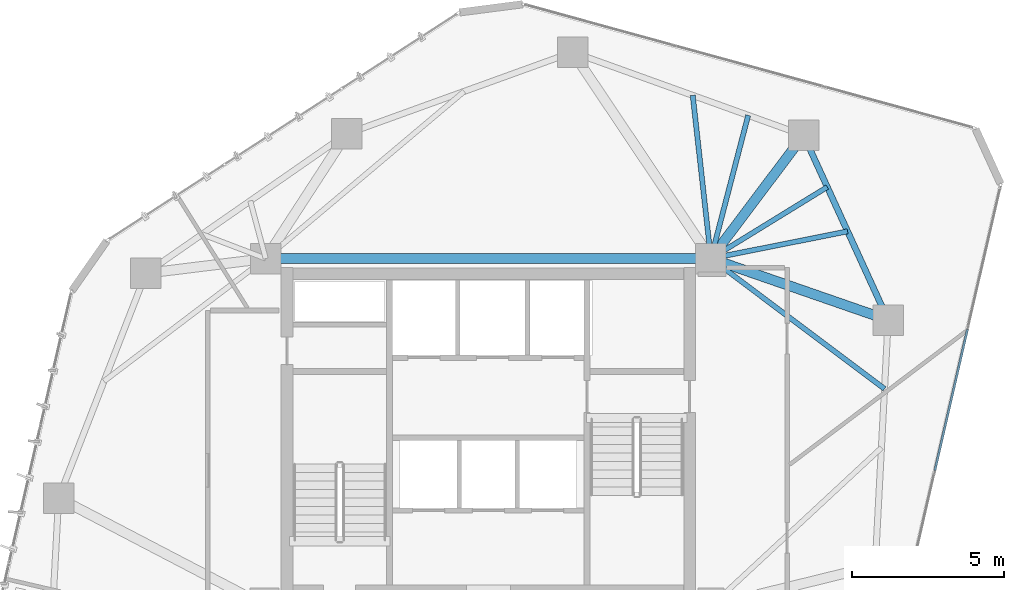
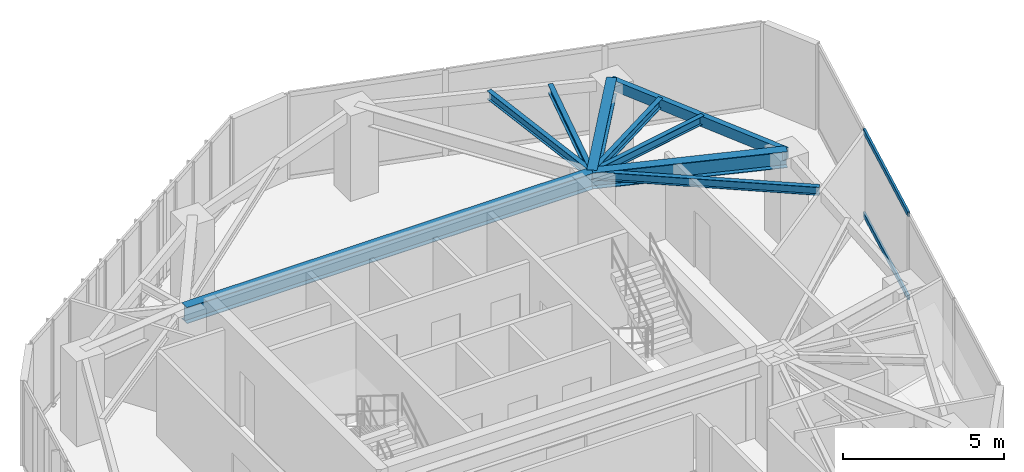
# One storey, part 10 of 18: 9 beams, 2 members, 1 element without a shape of its own.
"""IFC4 building model written with IfcOpenShell, lengths in metres."""

from ifc_helpers import new_model, si_unit, direction, frame, origin, origin_2d, place, context, subcontext, project, spatial, hollow_rectangle, i_section, extrude, source, transform, mapped, material, layer, layer_set, material_profile, profile_set, type_object, type_shapes, element, aggregate, save


model = new_model("IFC4")

# Units and contexts
model_context = context("Model", 3, precision=1e-05, world=origin(), true_north=direction((0.0, 1.0)))
body_context = subcontext(model_context, "Body", "Model", "MODEL_VIEW")
ifc_project = project(units=[si_unit("LENGTHUNIT", "METRE"), si_unit("AREAUNIT", "SQUARE_METRE"), si_unit("VOLUMEUNIT", "CUBIC_METRE"), si_unit("PLANEANGLEUNIT", "RADIAN"), si_unit("MASSUNIT", "GRAM", prefix="KILO")], contexts=[model_context])

# Site, building, storey
site_placement = place(None, origin())
site = spatial("IfcSite", under=ifc_project, at=site_placement, CompositionType="ELEMENT")
building_placement = place(site_placement, origin())
building = spatial("IfcBuilding", under=site, at=building_placement, Name="Talar Marvaseh", CompositionType="ELEMENT")
storey_placement = place(building_placement, frame((0.0, 0.0, 188.0)))
storey = spatial("IfcBuildingStorey", under=building, at=storey_placement, Name="L49", CompositionType="ELEMENT", Elevation=188.0)

# Beams
ifc_material_1 = material(Name="Steel S355", Category="steel")
ifc_material_profile_1 = material_profile(ifc_material_1, hollow_rectangle(XDim=0.199951171875, YDim=0.39990234375, WallThickness=0.013916015625, at=origin_2d()), Name="RHS400x200x14")
ifc_profile_set_1 = profile_set([ifc_material_profile_1], Name="Steel S355")
beam_type_1 = type_object("IfcBeamType", Name="Zone 3 Perimeter Spandrel Beam RHS400x200x14", PredefinedType="SPANDREL", material=ifc_profile_set_1)
beam_1_placement = place(storey_placement, frame((36.341064453125, 40.94189453125, 3.030029296875), z_axis=(0.416090570719, -0.909323175202, 0.0), x_axis=(0.909323175202, 0.416090570719, 0.0)))
element("IfcBeam", 1, at=beam_1_placement, inside=storey, type_object=beam_type_1, Name="L49 Zone 3 Perimeter Spandrel Beam RHS400x200x14", PredefinedType="SPANDREL", context=body_context, shape_type="SweptSolid", body=[
    extrude(hollow_rectangle(XDim=0.199951171875, YDim=0.39990234375, WallThickness=0.013916015625, at=origin_2d()), origin(), (0.0, 0.0, 1.0), 6.661865234375),
])
ifc_material_profile_2 = material_profile(ifc_material_1, i_section(OverallWidth=0.324951171875, OverallDepth=0.615966796875, WebThickness=0.013916015625, FlangeThickness=0.021484375, at=origin_2d()), Name="W610x174")
ifc_profile_set_2 = profile_set([ifc_material_profile_2], Name="Steel S355")
beam_type_2 = type_object("IfcBeamType", Name="Zone 3 Radial Floor Girder W610x174", PredefinedType="BEAM", material=ifc_profile_set_2)
beam_2_placement = place(storey_placement, frame((18.699951171875, 36.89990234375, 2.922119140625), z_axis=(1.0, 0.0, 0.0), x_axis=(0.0, 1.0, 0.0)))
element("IfcBeam", 2, at=beam_2_placement, inside=storey, type_object=beam_type_2, Name="L49 Zone 3 Radial Floor Girder W610x174", PredefinedType="BEAM", context=body_context, shape_type="SweptSolid", body=[
    extrude(i_section(OverallWidth=0.324951171875, OverallDepth=0.615966796875, WebThickness=0.013916015625, FlangeThickness=0.021484375, at=origin_2d()), origin(), (0.0, 0.0, 1.0), 14.60009765625),
])
beam_3_placement = place(storey_placement, frame((36.341064453125, 40.94189453125, 2.922119140625), z_axis=(-0.601204044541, -0.799095549247, 0.0), x_axis=(0.799095549247, -0.601204044541, 0.0)))
element("IfcBeam", 3, at=beam_3_placement, inside=storey, type_object=beam_type_2, Name="L49 Zone 3 Radial Floor Girder W610x174", PredefinedType="BEAM", context=body_context, shape_type="SweptSolid", body=[
    extrude(i_section(OverallWidth=0.324951171875, OverallDepth=0.615966796875, WebThickness=0.013916015625, FlangeThickness=0.021484375, at=origin_2d()), origin(), (0.0, 0.0, 1.0), 5.05810546875),
])
beam_4_placement = place(storey_placement, frame((39.113037109375, 34.884033203125, 2.922119140625), z_axis=(-0.94480098975, 0.327644761544, 0.0), x_axis=(-0.327644761544, -0.94480098975, 0.0)))
element("IfcBeam", 4, at=beam_4_placement, inside=storey, type_object=beam_type_2, Name="L49 Zone 3 Radial Floor Girder W610x174", PredefinedType="BEAM", context=body_context, shape_type="SweptSolid", body=[
    extrude(i_section(OverallWidth=0.324951171875, OverallDepth=0.615966796875, WebThickness=0.013916015625, FlangeThickness=0.021484375, at=origin_2d()), origin(), (0.0, 0.0, 1.0), 6.152587890625),
])
ifc_material_profile_3 = material_profile(ifc_material_1, i_section(OverallWidth=0.166015625, OverallDepth=0.31298828125, WebThickness=0.006591796875, FlangeThickness=0.01123046875, at=origin_2d()), Name="W310x45")
ifc_profile_set_3 = profile_set([ifc_material_profile_3], Name="Steel S355")
beam_type_3 = type_object("IfcBeamType", Name="Zone 3 Secondary Floor Joist W310x45", PredefinedType="JOIST", material=ifc_profile_set_3)
beam_5_placement = place(storey_placement, frame((32.705078125, 42.25048828125, 3.073486328125), z_axis=(0.110516140753, -0.993874329396, 0.0), x_axis=(0.993874329396, 0.110516140753, 0.0)))
element("IfcBeam", 5, at=beam_5_placement, inside=storey, type_object=beam_type_3, Name="L49 Zone 3 Secondary Floor Joist W310x45", PredefinedType="JOIST", context=body_context, shape_type="SweptSolid", body=[
    extrude(i_section(OverallWidth=0.166015625, OverallDepth=0.31298828125, WebThickness=0.006591796875, FlangeThickness=0.01123046875, at=origin_2d()), origin(), (0.0, 0.0, 1.0), 5.383544921875),
])
beam_6_placement = place(storey_placement, frame((34.52294921875, 41.59619140625, 3.073486328125), z_axis=(-0.251993851934, -0.967728835257, 0.0), x_axis=(0.967728835257, -0.251993851934, 0.0)))
element("IfcBeam", 6, at=beam_6_placement, inside=storey, type_object=beam_type_3, Name="L49 Zone 3 Secondary Floor Joist W310x45", PredefinedType="JOIST", context=body_context, shape_type="SweptSolid", body=[
    extrude(i_section(OverallWidth=0.166015625, OverallDepth=0.31298828125, WebThickness=0.006591796875, FlangeThickness=0.01123046875, at=origin_2d()), origin(), (0.0, 0.0, 1.0), 4.852783203125),
])
beam_7_placement = place(storey_placement, frame((37.1171875, 39.245849609375, 3.073486328125), z_axis=(-0.851963133725, -0.52360177499, 0.0), x_axis=(0.52360177499, -0.851963133725, 0.0)))
element("IfcBeam", 7, at=beam_7_placement, inside=storey, type_object=beam_type_3, Name="L49 Zone 3 Secondary Floor Joist W310x45", PredefinedType="JOIST", context=body_context, shape_type="SweptSolid", body=[
    extrude(i_section(OverallWidth=0.166015625, OverallDepth=0.31298828125, WebThickness=0.006591796875, FlangeThickness=0.01123046875, at=origin_2d()), origin(), (0.0, 0.0, 1.0), 4.48046875),
])
beam_8_placement = place(storey_placement, frame((37.782470703125, 37.791748046875, 3.073486328125), z_axis=(-0.980775375356, -0.195140111447, 0.0), x_axis=(0.195140111447, -0.980775375356, 0.0)))
element("IfcBeam", 8, at=beam_8_placement, inside=storey, type_object=beam_type_3, Name="L49 Zone 3 Secondary Floor Joist W310x45", PredefinedType="JOIST", context=body_context, shape_type="SweptSolid", body=[
    extrude(i_section(OverallWidth=0.166015625, OverallDepth=0.31298828125, WebThickness=0.006591796875, FlangeThickness=0.01123046875, at=origin_2d()), origin(), (0.0, 0.0, 1.0), 4.5703125),
])
beam_9_placement = place(storey_placement, frame((38.994384765625, 32.627197265625, 3.073486328125), z_axis=(-0.799868292589, 0.600175569739, 0.0), x_axis=(-0.600175569739, -0.799868292589, 0.0)))
element("IfcBeam", 9, at=beam_9_placement, inside=storey, type_object=beam_type_3, Name="L49 Zone 3 Secondary Floor Joist W310x45", PredefinedType="JOIST", context=body_context, shape_type="SweptSolid", body=[
    extrude(i_section(OverallWidth=0.166015625, OverallDepth=0.31298828125, WebThickness=0.006591796875, FlangeThickness=0.01123046875, at=origin_2d()), origin(), (0.0, 0.0, 1.0), 7.119140625),
])

# Curtain wall, members
ifc_material_2 = material(Name="Architectural Aluminium", Category="aluminium")
ifc_layer = layer(ifc_material_2, 0.18994140625)
ifc_layer_set = layer_set([ifc_layer], Name="Architectural Aluminium")
curtain_wall_type = type_object("IfcCurtainWallType", Name="Unitised Solar Atelier Curtain Wall Z3", PredefinedType="NOTDEFINED", material=ifc_layer_set)
curtain_wall_placement = place(storey_placement, origin())
curtain_wall = element("IfcCurtainWall", 10, at=curtain_wall_placement, inside=storey, type_object=curtain_wall_type, Name="L49 Unitised Solar Atelier Curtain Wall Z3", PredefinedType="NOTDEFINED")
ifc_material_profile_4 = material_profile(ifc_material_2, hollow_rectangle(XDim=0.074951171875, YDim=0.179931640625, WallThickness=0.0048828125, at=origin_2d()), Name="RHS180x75x5")
ifc_profile_set_4 = profile_set([ifc_material_profile_4], Name="Architectural Aluminium")
member_type = type_object("IfcMemberType", Name="Unitised Curtain Wall Transom RHS180x75x5", PredefinedType="USERDEFINED", material=ifc_profile_set_4)
shared_shape = source(origin(), body_context, "Body", "SweptSolid", [
    extrude(hollow_rectangle(XDim=0.074951171875, YDim=0.179931640625, WallThickness=0.0048828125, at=origin_2d()), origin(), (0.0, 0.0, 1.0), 4.746826171875),
])
type_shapes(member_type, [shared_shape])
member_1_placement = place(storey_placement, frame((41.71337890625, 34.57568359375, 0.03759765625), z_axis=(-0.225118682293, -0.974331349636, 0.0), x_axis=(0.974331349636, -0.225118682293, 0.0)))
member_1 = element("IfcMember", 11, at=member_1_placement, type_object=member_type, Name="CW-Z3 transom 2.1", ObjectType="TRANSOM", PredefinedType="USERDEFINED", context=body_context, shape_type="MappedRepresentation", body=[
    mapped(shared_shape, transform((0.0, 0.0, 0.0), x_axis=(1.0, 0.0, 0.0), y_axis=(0.0, 1.0, 0.0), z_axis=(0.0, 0.0, 1.0), scale=1.0)),
])
member_2_placement = place(storey_placement, frame((41.71337890625, 34.57568359375, 3.1923828125), z_axis=(-0.225118682293, -0.974331349636, 0.0), x_axis=(0.974331349636, -0.225118682293, 0.0)))
member_2 = element("IfcMember", 12, at=member_2_placement, type_object=member_type, Name="CW-Z3 transom 2.2", ObjectType="TRANSOM", PredefinedType="USERDEFINED", context=body_context, shape_type="MappedRepresentation", body=[
    mapped(shared_shape, transform((0.0, 0.0, 0.0), x_axis=(1.0, 0.0, 0.0), y_axis=(0.0, 1.0, 0.0), z_axis=(0.0, 0.0, 1.0), scale=1.0)),
])
aggregate(curtain_wall, [member_1, member_2])

save(model, "model.ifc")
